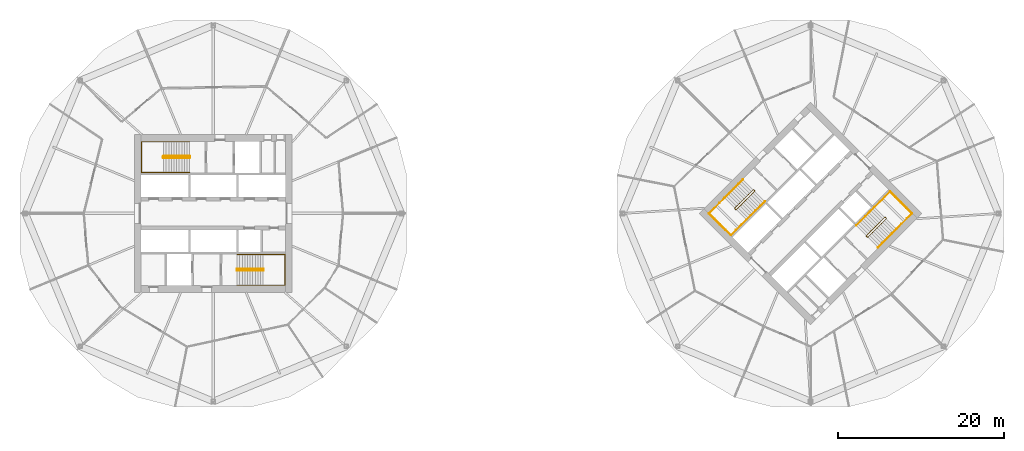
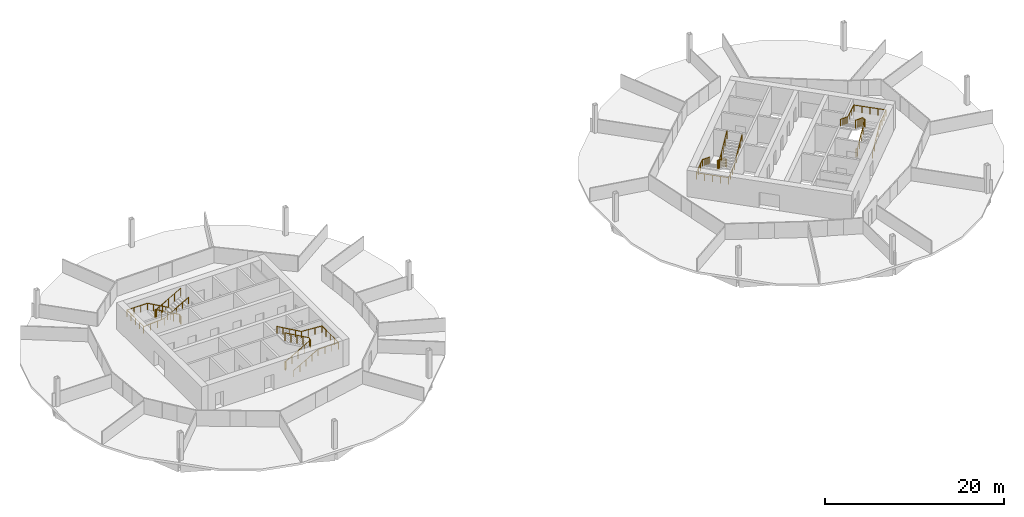
# One storey, part 9 of 9: 8 railings.
"""IFC4 building model written with IfcOpenShell, lengths in metres."""

import ifcopenshell
import ifcopenshell.guid

model = None  # the IFC model being written
_history = None  # IfcOwnerHistory: only IFC2X3 demands one
_inside = {}  # id of a spatial element -> (the spatial element, [elements in it])
_under = {}  # id of a project, library or spatial element -> (it, [spatial elements below it])
_declared = {}  # id of a project -> (the project, [libraries it declares])
_typed = {}  # id of a type object -> (the type object, [elements of that type])
_made_of = {}  # id of a material, layer set ... -> (it, [elements and type objects made of it])


def new_model(schema):
    """Start an empty IFC model of exactly this schema.

    Asked for "IFC4X3", IfcOpenShell would pick the latest addendum, in which some entities
    have other attributes; the version numbers below select the first issue.
    IFC2X3 requires an IfcOwnerHistory on every rooted entity: one is made here for all.
    """
    global model, _history
    if schema == "IFC4X3":
        model = ifcopenshell.file(schema_version=(4, 3, 0, 0))
    else:
        model = ifcopenshell.file(schema=schema)
    _inside.clear()
    _under.clear()
    _declared.clear()
    _typed.clear()
    _made_of.clear()
    _history = None
    if model.schema == "IFC2X3":
        org = make("IfcOrganization", Name="unknown")
        user = make(
            "IfcPersonAndOrganization",
            ThePerson=make("IfcPerson", FamilyName="unknown"),
            TheOrganization=org,
        )
        app = make(
            "IfcApplication",
            ApplicationDeveloper=org,
            Version="unknown",
            ApplicationFullName="unknown",
            ApplicationIdentifier="unknown",
        )
        _history = make(
            "IfcOwnerHistory",
            OwningUser=user,
            OwningApplication=app,
            ChangeAction="ADDED",
            CreationDate=0,
        )
    return model


def make(cls, **values):
    """One entity of the class cls with the attributes given. An attribute that is None is left unset."""
    return model.create_entity(
        cls, **{name: value for name, value in values.items() if value is not None}
    )


def rooted(cls, **values):
    """An entity with a GlobalId (a new one), such as an element, a storey or a relation."""
    return make(cls, GlobalId=ifcopenshell.guid.new(), OwnerHistory=_history, **values)


def si_unit(unit_type, name, prefix=None):
    """IfcSIUnit, for example si_unit("LENGTHUNIT", "METRE", prefix="MILLI")."""
    return make("IfcSIUnit", UnitType=unit_type, Prefix=prefix, Name=name)


def assignment(units):
    """IfcUnitAssignment: the units of a project."""
    return None if units is None else make("IfcUnitAssignment", Units=units)


def point(xyz):
    """IfcCartesianPoint."""
    return None if xyz is None else make("IfcCartesianPoint", Coordinates=xyz)


def direction(xyz):
    """IfcDirection."""
    return None if xyz is None else make("IfcDirection", DirectionRatios=xyz)


def frame(location, z_axis=None, x_axis=None):
    """IfcAxis2Placement3D, a coordinate frame: its origin and axes. An axis left out is left unset."""
    return make(
        "IfcAxis2Placement3D",
        Location=point(location),
        Axis=direction(z_axis),
        RefDirection=direction(x_axis),
    )


def frame_2d(location, x_axis=None):
    """IfcAxis2Placement2D, a coordinate frame in the plane: its origin and x axis."""
    return make(
        "IfcAxis2Placement2D", Location=point(location), RefDirection=direction(x_axis)
    )


def origin():
    """The frame at (0, 0, 0) with its axes left unset."""
    return frame((0.0, 0.0, 0.0))


def origin_2d():
    """The frame at (0, 0) in the plane with its x axis left unset."""
    return frame_2d((0.0, 0.0))


def place(relative_to, where):
    """IfcLocalPlacement: puts the frame where relative to a parent placement (None: the world)."""
    return make(
        "IfcLocalPlacement", PlacementRelTo=relative_to, RelativePlacement=where
    )


def context(
    kind, dimensions, precision=None, world=None, true_north=None, identifier=None
):
    """IfcGeometricRepresentationContext, for example the 3D "Model" context."""
    return make(
        "IfcGeometricRepresentationContext",
        ContextIdentifier=identifier,
        ContextType=kind,
        CoordinateSpaceDimension=dimensions,
        Precision=precision,
        WorldCoordinateSystem=world,
        TrueNorth=true_north,
    )


def subcontext(parent, identifier, kind, view, scale=None):
    """IfcGeometricRepresentationSubContext, for example "Body" below "Model"."""
    return make(
        "IfcGeometricRepresentationSubContext",
        ContextIdentifier=identifier,
        ContextType=kind,
        ParentContext=parent,
        TargetScale=scale,
        TargetView=view,
    )


def project(units=None, contexts=None):
    """IfcProject with its units and contexts."""
    return rooted(
        "IfcProject",
        Name="project",
        RepresentationContexts=contexts,
        UnitsInContext=assignment(units),
    )


def spatial(cls, under=None, at=None, **own):
    """A site, building, storey or space (cls), placed at a placement, below another one or the project."""
    s = rooted(cls, ObjectPlacement=at, **own)
    if under is not None:
        _under.setdefault(under.id(), (under, []))[1].append(s)
    return s


def profile(cls, at=None, kind="AREA", **sizes):
    """A parametric profile (cls). Its sizes go by their IFC names, for example OverallWidth=200.0."""
    return make(cls, ProfileType=kind, Position=at, **sizes)


def circle(**sizes):
    """IfcCircleProfileDef."""
    return profile("IfcCircleProfileDef", **sizes)


def extrude(swept, where, along, depth):
    """IfcExtrudedAreaSolid: the profile swept, set in the frame where, extruded along a direction by depth."""
    return make(
        "IfcExtrudedAreaSolid",
        SweptArea=swept,
        Position=where,
        ExtrudedDirection=direction(along),
        Depth=depth,
    )


def shape(context_of_items, identifier, shape_type, items):
    """IfcShapeRepresentation: the items that make up one representation, for example the "Body"."""
    return make(
        "IfcShapeRepresentation",
        ContextOfItems=context_of_items,
        RepresentationIdentifier=identifier,
        RepresentationType=shape_type,
        Items=items,
    )


def material(Name=None, Category=None):
    """IfcMaterial."""
    return make("IfcMaterial", Name=Name, Category=Category)


def made_of(thing, what):
    """Note that an element or type object is made of a material, layer set ...; save() writes the relation."""
    if what is not None:
        _made_of.setdefault(what.id(), (what, []))[1].append(thing)
    return thing


def type_object(cls, material=None, **own):
    """A type object (cls), such as IfcWallType, which elements share."""
    return made_of(rooted(cls, **own), material)


def element(
    cls,
    number,
    at=None,
    inside=None,
    cuts=None,
    type_object=None,
    material=None,
    context=None,
    identifier="Body",
    shape_type=None,
    held_by="IfcProductDefinitionShape",
    body=None,
    shapes=None,
    **own,
):
    """One element of the class cls, such as IfcWall. Its Tag is "e" and its number.

    at: its placement. inside: the storey or other place that contains it. cuts: it is an
    opening in that element (IfcRelVoidsElement). A single representation is given by context,
    identifier, shape_type and body (its items); several are given by shapes. held_by: the class
    of the entity that holds the representations. save() writes the other relations.
    """
    e = rooted(cls, Tag="e%d" % number, ObjectPlacement=at, **own)
    if body is not None:
        shapes = [shape(context, identifier, shape_type, body)]
    if shapes is not None:
        e.Representation = make(held_by, Representations=shapes)
    if inside is not None:
        _inside.setdefault(inside.id(), (inside, []))[1].append(e)
    if cuts is not None:
        rooted(
            "IfcRelVoidsElement", RelatingBuildingElement=cuts, RelatedOpeningElement=e
        )
    if type_object is not None:
        _typed.setdefault(type_object.id(), (type_object, []))[1].append(e)
    return made_of(e, material)


def aggregate(whole, parts):
    """IfcRelAggregates: a whole, such as a stair, and the parts it consists of."""
    return rooted("IfcRelAggregates", RelatingObject=whole, RelatedObjects=parts)


def save(model, path):
    """Write the relations noted so far, then the file.

    IfcRelAggregates (storeys below a building ...), IfcRelContainedInSpatialStructure (elements
    in a storey), IfcRelDefinesByType, IfcRelAssociatesMaterial and IfcRelDeclares: one each for
    every whole, place, type object, material and project.
    """
    for whole, parts in _under.values():
        aggregate(whole, parts)
    for where, things in _inside.values():
        rooted(
            "IfcRelContainedInSpatialStructure",
            RelatedElements=things,
            RelatingStructure=where,
        )
    for kind, things in _typed.values():
        rooted("IfcRelDefinesByType", RelatedObjects=things, RelatingType=kind)
    for what, things in _made_of.values():
        rooted("IfcRelAssociatesMaterial", RelatedObjects=things, RelatingMaterial=what)
    for by, libraries in _declared.values():
        rooted("IfcRelDeclares", RelatingContext=by, RelatedDefinitions=libraries)
    model.write(path)


model = new_model("IFC4")

# Units and contexts
model_context = context("Model", 3, precision=1e-05, world=origin(), true_north=direction((0.0, 1.0)))
body_context = subcontext(model_context, "Body", "Model", "MODEL_VIEW")
ifc_project = project(units=[si_unit("LENGTHUNIT", "METRE"), si_unit("AREAUNIT", "SQUARE_METRE"), si_unit("VOLUMEUNIT", "CUBIC_METRE"), si_unit("PLANEANGLEUNIT", "RADIAN"), si_unit("MASSUNIT", "GRAM", prefix="KILO")], contexts=[model_context])

# Site, building, storey
site_placement = place(None, origin())
site = spatial("IfcSite", under=ifc_project, at=site_placement, CompositionType="ELEMENT")
building_placement = place(site_placement, origin())
building = spatial("IfcBuilding", under=site, at=building_placement, Name="Ogive Gate Towers", CompositionType="ELEMENT")
storey_placement = place(building_placement, frame((0.0, 0.0, 91.800048828125)))
storey = spatial("IfcBuildingStorey", under=building, at=storey_placement, Name="L21", CompositionType="ELEMENT", Elevation=91.800048828125)

# Railings
ifc_material = material(Name="Stainless steel", Category="steel")
railing_type_1 = type_object("IfcRailingType", Name="Stair guard 1100", PredefinedType="GUARDRAIL", material=ifc_material)
railing_1_placement = place(storey_placement, frame((-38.81494140625, 6.860107421875, 0.0)))
element("IfcRailing", 1, at=railing_1_placement, inside=storey, type_object=railing_type_1, Name="L21 ST1 stair guard 1", PredefinedType="GUARDRAIL", context=body_context, shape_type="SweptSolid", body=[
    extrude(circle(Radius=0.02392578125, at=origin_2d()), frame((0.0, 0.0, 1.076171875), z_axis=(0.0, -1.0, 0.0), x_axis=(1.0, 0.0, 0.0)), (0.0, 0.0, 1.0), 0.14501953125),
    extrude(circle(Radius=0.02392578125, at=origin_2d()), frame((0.0, -0.14501953125, 1.076171875), z_axis=(-0.186679794065, 0.726685247142, 0.661119660934), x_axis=(-0.968551454522, -0.24881334358, 0.0)), (0.0, 0.0, 1.0), 0.26806640625),
    extrude(circle(Radius=0.02392578125, at=origin_2d()), frame((-0.050048828125, 0.0498046875, 1.25341796875), z_axis=(-0.870572935281, 0.0, 0.492039393094), x_axis=(0.0, -1.0, 0.0)), (0.0, 0.0, 1.0), 3.602783203125),
    extrude(circle(Radius=0.02392578125, at=origin_2d()), frame((-3.1865234375, 0.0498046875, 3.02587890625), z_axis=(-0.707106781187, -0.707106781187, 0.0), x_axis=(0.707106781187, -0.707106781187, 0.0)), (0.0, 0.0, 1.0), 0.0703125),
    extrude(circle(Radius=0.02392578125, at=origin_2d()), frame((-3.236328125, 0.0, 3.02587890625), z_axis=(0.0, -1.0, 0.0), x_axis=(1.0, 0.0, 0.0)), (0.0, 0.0, 1.0), 0.14501953125),
    extrude(circle(Radius=0.02392578125, at=origin_2d()), frame((-3.236328125, -0.14501953125, 3.02587890625), z_axis=(0.261041864531, -0.262321481514, 0.929001929653), x_axis=(0.708833529934, 0.705375805398, 0.0)), (0.0, 0.0, 1.0), 0.190673828125),
    extrude(circle(Radius=0.02392578125, at=origin_2d()), frame((-3.1865234375, -0.195068359375, 3.203125), z_axis=(0.870572935281, 0.0, 0.492039393094), x_axis=(0.0, 1.0, 0.0)), (0.0, 0.0, 1.0), 3.602783203125),
    extrude(circle(Radius=0.02099609375, at=origin_2d()), origin(), (0.0, 0.0, 1.0), 1.052001953125),
    extrude(circle(Radius=0.02099609375, at=origin_2d()), frame((0.0, -0.14501953125, 0.0)), (0.0, 0.0, 1.0), 1.052001953125),
    extrude(circle(Radius=0.02099609375, at=origin_2d()), frame((-0.050048828125, 0.0498046875, 0.17724609375)), (0.0, 0.0, 1.0), 1.052001953125),
    extrude(circle(Radius=0.02099609375, at=origin_2d()), frame((-0.834228515625, 0.0498046875, 0.620361328125)), (0.0, 0.0, 1.0), 1.052001953125),
    extrude(circle(Radius=0.02099609375, at=origin_2d()), frame((-1.6181640625, 0.0498046875, 1.0634765625)), (0.0, 0.0, 1.0), 1.052001953125),
    extrude(circle(Radius=0.02099609375, at=origin_2d()), frame((-2.40234375, 0.0498046875, 1.5068359375)), (0.0, 0.0, 1.0), 1.052001953125),
    extrude(circle(Radius=0.02099609375, at=origin_2d()), frame((-3.1865234375, 0.0498046875, 1.949951171875)), (0.0, 0.0, 1.0), 1.052001953125),
    extrude(circle(Radius=0.02099609375, at=origin_2d()), frame((-3.236328125, 0.0, 1.949951171875)), (0.0, 0.0, 1.0), 1.052001953125),
    extrude(circle(Radius=0.02099609375, at=origin_2d()), frame((-3.236328125, -0.14501953125, 1.949951171875)), (0.0, 0.0, 1.0), 1.052001953125),
    extrude(circle(Radius=0.02099609375, at=origin_2d()), frame((-3.1865234375, -0.195068359375, 2.127197265625)), (0.0, 0.0, 1.0), 1.052001953125),
    extrude(circle(Radius=0.02099609375, at=origin_2d()), frame((-2.40234375, -0.195068359375, 2.5703125)), (0.0, 0.0, 1.0), 1.052001953125),
    extrude(circle(Radius=0.02099609375, at=origin_2d()), frame((-1.6181640625, -0.195068359375, 3.013671875)), (0.0, 0.0, 1.0), 1.052001953125),
    extrude(circle(Radius=0.02099609375, at=origin_2d()), frame((-0.834228515625, -0.195068359375, 3.456787109375)), (0.0, 0.0, 1.0), 1.052001953125),
    extrude(circle(Radius=0.02099609375, at=origin_2d()), frame((-0.050048828125, -0.195068359375, 3.89990234375)), (0.0, 0.0, 1.0), 1.052001953125),
])
railing_2_placement = place(storey_placement, frame((-33.18505859375, -6.860107421875, 0.0)))
element("IfcRailing", 2, at=railing_2_placement, inside=storey, type_object=railing_type_1, Name="L21 ST2 stair guard 1", PredefinedType="GUARDRAIL", context=body_context, shape_type="SweptSolid", body=[
    extrude(circle(Radius=0.02392578125, at=origin_2d()), frame((0.0, 0.0, 1.076171875), z_axis=(0.0, 1.0, 0.0), x_axis=(-1.0, 0.0, 0.0)), (0.0, 0.0, 1.0), 0.14501953125),
    extrude(circle(Radius=0.02392578125, at=origin_2d()), frame((0.0, 0.14501953125, 1.076171875), z_axis=(0.186679794065, -0.726685247142, 0.661119660934), x_axis=(0.968551454522, 0.24881334358, 0.0)), (0.0, 0.0, 1.0), 0.26806640625),
    extrude(circle(Radius=0.02392578125, at=origin_2d()), frame((0.050048828125, -0.0498046875, 1.25341796875), z_axis=(0.870572935281, 0.0, 0.492039393094), x_axis=(0.0, 1.0, 0.0)), (0.0, 0.0, 1.0), 3.602783203125),
    extrude(circle(Radius=0.02392578125, at=origin_2d()), frame((3.1865234375, -0.0498046875, 3.02587890625), z_axis=(0.707106781187, 0.707106781187, 0.0), x_axis=(-0.707106781187, 0.707106781187, 0.0)), (0.0, 0.0, 1.0), 0.0703125),
    extrude(circle(Radius=0.02392578125, at=origin_2d()), frame((3.236328125, 0.0, 3.02587890625), z_axis=(0.0, 1.0, 0.0), x_axis=(-1.0, 0.0, 0.0)), (0.0, 0.0, 1.0), 0.14501953125),
    extrude(circle(Radius=0.02392578125, at=origin_2d()), frame((3.236328125, 0.14501953125, 3.02587890625), z_axis=(-0.261041864531, 0.262321481514, 0.929001929653), x_axis=(-0.708833529934, -0.705375805398, 0.0)), (0.0, 0.0, 1.0), 0.190673828125),
    extrude(circle(Radius=0.02392578125, at=origin_2d()), frame((3.1865234375, 0.195068359375, 3.203125), z_axis=(-0.870572935281, 0.0, 0.492039393094), x_axis=(0.0, -1.0, 0.0)), (0.0, 0.0, 1.0), 3.602783203125),
    extrude(circle(Radius=0.02099609375, at=origin_2d()), origin(), (0.0, 0.0, 1.0), 1.052001953125),
    extrude(circle(Radius=0.02099609375, at=origin_2d()), frame((0.0, 0.14501953125, 0.0)), (0.0, 0.0, 1.0), 1.052001953125),
    extrude(circle(Radius=0.02099609375, at=origin_2d()), frame((0.050048828125, -0.0498046875, 0.17724609375)), (0.0, 0.0, 1.0), 1.052001953125),
    extrude(circle(Radius=0.02099609375, at=origin_2d()), frame((0.834228515625, -0.0498046875, 0.620361328125)), (0.0, 0.0, 1.0), 1.052001953125),
    extrude(circle(Radius=0.02099609375, at=origin_2d()), frame((1.6181640625, -0.0498046875, 1.0634765625)), (0.0, 0.0, 1.0), 1.052001953125),
    extrude(circle(Radius=0.02099609375, at=origin_2d()), frame((2.40234375, -0.0498046875, 1.5068359375)), (0.0, 0.0, 1.0), 1.052001953125),
    extrude(circle(Radius=0.02099609375, at=origin_2d()), frame((3.1865234375, -0.0498046875, 1.949951171875)), (0.0, 0.0, 1.0), 1.052001953125),
    extrude(circle(Radius=0.02099609375, at=origin_2d()), frame((3.236328125, 0.0, 1.949951171875)), (0.0, 0.0, 1.0), 1.052001953125),
    extrude(circle(Radius=0.02099609375, at=origin_2d()), frame((3.236328125, 0.14501953125, 1.949951171875)), (0.0, 0.0, 1.0), 1.052001953125),
    extrude(circle(Radius=0.02099609375, at=origin_2d()), frame((3.1865234375, 0.195068359375, 2.127197265625)), (0.0, 0.0, 1.0), 1.052001953125),
    extrude(circle(Radius=0.02099609375, at=origin_2d()), frame((2.40234375, 0.195068359375, 2.5703125)), (0.0, 0.0, 1.0), 1.052001953125),
    extrude(circle(Radius=0.02099609375, at=origin_2d()), frame((1.6181640625, 0.195068359375, 3.013671875)), (0.0, 0.0, 1.0), 1.052001953125),
    extrude(circle(Radius=0.02099609375, at=origin_2d()), frame((0.834228515625, 0.195068359375, 3.456787109375)), (0.0, 0.0, 1.0), 1.052001953125),
    extrude(circle(Radius=0.02099609375, at=origin_2d()), frame((0.050048828125, 0.195068359375, 3.89990234375)), (0.0, 0.0, 1.0), 1.052001953125),
])
railing_3_placement = place(storey_placement, frame((29.15869140625, 2.8603515625, 0.0)))
element("IfcRailing", 3, at=railing_3_placement, inside=storey, type_object=railing_type_1, Name="L21 ST1 stair guard 1", PredefinedType="GUARDRAIL", context=body_context, shape_type="SweptSolid", body=[
    extrude(circle(Radius=0.02392578125, at=origin_2d()), frame((0.0, 0.0, 1.076171875), z_axis=(0.707106781187, -0.707106781187, 0.0), x_axis=(0.707106781187, 0.707106781187, 0.0)), (0.0, 0.0, 1.0), 0.14501953125),
    extrude(circle(Radius=0.02392578125, at=origin_2d()), frame((0.1025390625, -0.1025390625, 1.076171875), z_axis=(-0.645571447971, 0.382425963537, 0.661050594114), x_axis=(-0.509669330572, -0.860370369942, 0.0)), (0.0, 0.0, 1.0), 0.26806640625),
    extrude(circle(Radius=0.02392578125, at=origin_2d()), frame((-0.070556640625, 0.0, 1.25341796875), z_axis=(-0.61558473135, -0.61558473135, 0.49204763698), x_axis=(0.707106781187, -0.707106781187, 0.0)), (0.0, 0.0, 1.0), 3.602783203125),
    extrude(circle(Radius=0.02392578125, at=origin_2d()), frame((-2.288330078125, -2.2177734375, 3.02587890625), z_axis=(0.0, -1.0, 0.0), x_axis=(1.0, 0.0, 0.0)), (0.0, 0.0, 1.0), 0.07080078125),
    extrude(circle(Radius=0.02392578125, at=origin_2d()), frame((-2.288330078125, -2.28857421875, 3.02587890625), z_axis=(0.707106781187, -0.707106781187, 0.0), x_axis=(0.707106781187, 0.707106781187, 0.0)), (0.0, 0.0, 1.0), 0.14501953125),
    extrude(circle(Radius=0.02392578125, at=origin_2d()), frame((-2.185791015625, -2.39111328125, 3.02587890625), z_axis=(0.369845645421, 0.0, 0.929093213065), x_axis=(0.0, 1.0, 0.0)), (0.0, 0.0, 1.0), 0.190673828125),
    extrude(circle(Radius=0.02392578125, at=origin_2d()), frame((-2.115234375, -2.39111328125, 3.203125), z_axis=(0.61558473135, 0.61558473135, 0.49204763698), x_axis=(-0.707106781187, 0.707106781187, 0.0)), (0.0, 0.0, 1.0), 3.602783203125),
    extrude(circle(Radius=0.02099609375, at=origin_2d()), origin(), (0.0, 0.0, 1.0), 1.052001953125),
    extrude(circle(Radius=0.02099609375, at=origin_2d()), frame((0.1025390625, -0.1025390625, 0.0)), (0.0, 0.0, 1.0), 1.052001953125),
    extrude(circle(Radius=0.02099609375, at=origin_2d()), frame((-0.070556640625, 0.0, 0.17724609375)), (0.0, 0.0, 1.0), 1.052001953125),
    extrude(circle(Radius=0.02099609375, at=origin_2d()), frame((-0.625, -0.554443359375, 0.620361328125)), (0.0, 0.0, 1.0), 1.052001953125),
    extrude(circle(Radius=0.02099609375, at=origin_2d()), frame((-1.179443359375, -1.10888671875, 1.0634765625)), (0.0, 0.0, 1.0), 1.052001953125),
    extrude(circle(Radius=0.02099609375, at=origin_2d()), frame((-1.73388671875, -1.663330078125, 1.5068359375)), (0.0, 0.0, 1.0), 1.052001953125),
    extrude(circle(Radius=0.02099609375, at=origin_2d()), frame((-2.288330078125, -2.2177734375, 1.949951171875)), (0.0, 0.0, 1.0), 1.052001953125),
    extrude(circle(Radius=0.02099609375, at=origin_2d()), frame((-2.288330078125, -2.28857421875, 1.949951171875)), (0.0, 0.0, 1.0), 1.052001953125),
    extrude(circle(Radius=0.02099609375, at=origin_2d()), frame((-2.185791015625, -2.39111328125, 1.949951171875)), (0.0, 0.0, 1.0), 1.052001953125),
    extrude(circle(Radius=0.02099609375, at=origin_2d()), frame((-2.115234375, -2.39111328125, 2.127197265625)), (0.0, 0.0, 1.0), 1.052001953125),
    extrude(circle(Radius=0.02099609375, at=origin_2d()), frame((-1.560791015625, -1.836669921875, 2.5703125)), (0.0, 0.0, 1.0), 1.052001953125),
    extrude(circle(Radius=0.02099609375, at=origin_2d()), frame((-1.00634765625, -1.2822265625, 3.013671875)), (0.0, 0.0, 1.0), 1.052001953125),
    extrude(circle(Radius=0.02099609375, at=origin_2d()), frame((-0.451904296875, -0.727783203125, 3.456787109375)), (0.0, 0.0, 1.0), 1.052001953125),
    extrude(circle(Radius=0.02099609375, at=origin_2d()), frame((0.1025390625, -0.17333984375, 3.89990234375)), (0.0, 0.0, 1.0), 1.052001953125),
])
railing_4_placement = place(storey_placement, frame((42.84130859375, -2.8603515625, 0.0)))
element("IfcRailing", 4, at=railing_4_placement, inside=storey, type_object=railing_type_1, Name="L21 ST2 stair guard 1", PredefinedType="GUARDRAIL", context=body_context, shape_type="SweptSolid", body=[
    extrude(circle(Radius=0.02392578125, at=origin_2d()), frame((0.0, 0.0, 1.076171875), z_axis=(-0.707106781187, 0.707106781187, 0.0), x_axis=(-0.707106781187, -0.707106781187, 0.0)), (0.0, 0.0, 1.0), 0.14501953125),
    extrude(circle(Radius=0.02392578125, at=origin_2d()), frame((-0.1025390625, 0.1025390625, 1.076171875), z_axis=(0.645571447971, -0.382425963537, 0.661050594114), x_axis=(0.509669330572, 0.860370369942, 0.0)), (0.0, 0.0, 1.0), 0.26806640625),
    extrude(circle(Radius=0.02392578125, at=origin_2d()), frame((0.070556640625, 0.0, 1.25341796875), z_axis=(0.61558473135, 0.61558473135, 0.49204763698), x_axis=(-0.707106781187, 0.707106781187, 0.0)), (0.0, 0.0, 1.0), 3.602783203125),
    extrude(circle(Radius=0.02392578125, at=origin_2d()), frame((2.288330078125, 2.2177734375, 3.02587890625), z_axis=(0.0, 1.0, 0.0), x_axis=(-1.0, 0.0, 0.0)), (0.0, 0.0, 1.0), 0.07080078125),
    extrude(circle(Radius=0.02392578125, at=origin_2d()), frame((2.288330078125, 2.28857421875, 3.02587890625), z_axis=(-0.707106781187, 0.707106781187, 0.0), x_axis=(-0.707106781187, -0.707106781187, 0.0)), (0.0, 0.0, 1.0), 0.14501953125),
    extrude(circle(Radius=0.02392578125, at=origin_2d()), frame((2.185791015625, 2.39111328125, 3.02587890625), z_axis=(-0.369845645421, 0.0, 0.929093213065), x_axis=(0.0, -1.0, 0.0)), (0.0, 0.0, 1.0), 0.190673828125),
    extrude(circle(Radius=0.02392578125, at=origin_2d()), frame((2.115234375, 2.39111328125, 3.203125), z_axis=(-0.61558473135, -0.61558473135, 0.49204763698), x_axis=(0.707106781187, -0.707106781187, 0.0)), (0.0, 0.0, 1.0), 3.602783203125),
    extrude(circle(Radius=0.02099609375, at=origin_2d()), origin(), (0.0, 0.0, 1.0), 1.052001953125),
    extrude(circle(Radius=0.02099609375, at=origin_2d()), frame((-0.1025390625, 0.1025390625, 0.0)), (0.0, 0.0, 1.0), 1.052001953125),
    extrude(circle(Radius=0.02099609375, at=origin_2d()), frame((0.070556640625, 0.0, 0.17724609375)), (0.0, 0.0, 1.0), 1.052001953125),
    extrude(circle(Radius=0.02099609375, at=origin_2d()), frame((0.625, 0.554443359375, 0.620361328125)), (0.0, 0.0, 1.0), 1.052001953125),
    extrude(circle(Radius=0.02099609375, at=origin_2d()), frame((1.179443359375, 1.10888671875, 1.0634765625)), (0.0, 0.0, 1.0), 1.052001953125),
    extrude(circle(Radius=0.02099609375, at=origin_2d()), frame((1.73388671875, 1.663330078125, 1.5068359375)), (0.0, 0.0, 1.0), 1.052001953125),
    extrude(circle(Radius=0.02099609375, at=origin_2d()), frame((2.288330078125, 2.2177734375, 1.949951171875)), (0.0, 0.0, 1.0), 1.052001953125),
    extrude(circle(Radius=0.02099609375, at=origin_2d()), frame((2.288330078125, 2.28857421875, 1.949951171875)), (0.0, 0.0, 1.0), 1.052001953125),
    extrude(circle(Radius=0.02099609375, at=origin_2d()), frame((2.185791015625, 2.39111328125, 1.949951171875)), (0.0, 0.0, 1.0), 1.052001953125),
    extrude(circle(Radius=0.02099609375, at=origin_2d()), frame((2.115234375, 2.39111328125, 2.127197265625)), (0.0, 0.0, 1.0), 1.052001953125),
    extrude(circle(Radius=0.02099609375, at=origin_2d()), frame((1.560791015625, 1.836669921875, 2.5703125)), (0.0, 0.0, 1.0), 1.052001953125),
    extrude(circle(Radius=0.02099609375, at=origin_2d()), frame((1.00634765625, 1.2822265625, 3.013671875)), (0.0, 0.0, 1.0), 1.052001953125),
    extrude(circle(Radius=0.02099609375, at=origin_2d()), frame((0.451904296875, 0.727783203125, 3.456787109375)), (0.0, 0.0, 1.0), 1.052001953125),
    extrude(circle(Radius=0.02099609375, at=origin_2d()), frame((-0.1025390625, 0.17333984375, 3.89990234375)), (0.0, 0.0, 1.0), 1.052001953125),
])
railing_type_2 = type_object("IfcRailingType", Name="Stair handrail 900", PredefinedType="HANDRAIL", material=ifc_material)
railing_5_placement = place(storey_placement, frame((-38.864990234375, 8.64990234375, 0.17724609375)))
element("IfcRailing", 5, at=railing_5_placement, inside=storey, type_object=railing_type_2, Name="L21 ST1 stair handrail 1", PredefinedType="HANDRAIL", context=body_context, shape_type="SweptSolid", body=[
    extrude(circle(Radius=0.02392578125, at=origin_2d()), frame((0.0, 0.0, 0.8759765625), z_axis=(-0.870572935281, 0.0, 0.492039393094), x_axis=(0.0, -1.0, 0.0)), (0.0, 0.0, 1.0), 3.602783203125),
    extrude(circle(Radius=0.02392578125, at=origin_2d()), frame((-3.136474609375, 0.0, 2.6484375), z_axis=(-1.0, 0.0, 0.0), x_axis=(0.0, -1.0, 0.0)), (0.0, 0.0, 1.0), 2.6484375),
    extrude(circle(Radius=0.02392578125, at=origin_2d()), frame((-5.784912109375, 0.0, 2.6484375), z_axis=(0.0, -1.0, 0.0), x_axis=(1.0, 0.0, 0.0)), (0.0, 0.0, 1.0), 3.724853515625),
    extrude(circle(Radius=0.02392578125, at=origin_2d()), frame((-5.784912109375, -3.724853515625, 2.6484375), z_axis=(0.997768031817, 0.0, 0.066775404784), x_axis=(0.0, 1.0, 0.0)), (0.0, 0.0, 1.0), 2.654296875),
    extrude(circle(Radius=0.02392578125, at=origin_2d()), frame((-3.136474609375, -3.724853515625, 2.82568359375), z_axis=(0.870572935281, 0.0, 0.492039393094), x_axis=(0.0, 1.0, 0.0)), (0.0, 0.0, 1.0), 3.602783203125),
    extrude(circle(Radius=0.02099609375, at=origin_2d()), origin(), (0.0, 0.0, 1.0), 0.851806640625),
    extrude(circle(Radius=0.02099609375, at=origin_2d()), frame((-0.7841796875, 0.0, 0.443115234375)), (0.0, 0.0, 1.0), 0.851806640625),
    extrude(circle(Radius=0.02099609375, at=origin_2d()), frame((-1.568359375, 0.0, 0.88623046875)), (0.0, 0.0, 1.0), 0.851806640625),
    extrude(circle(Radius=0.02099609375, at=origin_2d()), frame((-2.352294921875, 0.0, 1.32958984375)), (0.0, 0.0, 1.0), 0.851806640625),
    extrude(circle(Radius=0.02099609375, at=origin_2d()), frame((-3.136474609375, 0.0, 1.772705078125)), (0.0, 0.0, 1.0), 0.851806640625),
    extrude(circle(Radius=0.02099609375, at=origin_2d()), frame((-4.019287109375, 0.0, 1.772705078125)), (0.0, 0.0, 1.0), 0.851806640625),
    extrude(circle(Radius=0.02099609375, at=origin_2d()), frame((-4.902099609375, 0.0, 1.772705078125)), (0.0, 0.0, 1.0), 0.851806640625),
    extrude(circle(Radius=0.02099609375, at=origin_2d()), frame((-5.784912109375, 0.0, 1.772705078125)), (0.0, 0.0, 1.0), 0.851806640625),
    extrude(circle(Radius=0.02099609375, at=origin_2d()), frame((-5.784912109375, -0.93115234375, 1.772705078125)), (0.0, 0.0, 1.0), 0.851806640625),
    extrude(circle(Radius=0.02099609375, at=origin_2d()), frame((-5.784912109375, -1.8623046875, 1.772705078125)), (0.0, 0.0, 1.0), 0.851806640625),
    extrude(circle(Radius=0.02099609375, at=origin_2d()), frame((-5.784912109375, -2.793701171875, 1.772705078125)), (0.0, 0.0, 1.0), 0.851806640625),
    extrude(circle(Radius=0.02099609375, at=origin_2d()), frame((-5.784912109375, -3.724853515625, 1.772705078125)), (0.0, 0.0, 1.0), 0.851806640625),
    extrude(circle(Radius=0.02099609375, at=origin_2d()), frame((-4.902099609375, -3.724853515625, 1.831787109375)), (0.0, 0.0, 1.0), 0.851806640625),
    extrude(circle(Radius=0.02099609375, at=origin_2d()), frame((-4.019287109375, -3.724853515625, 1.890869140625)), (0.0, 0.0, 1.0), 0.851806640625),
    extrude(circle(Radius=0.02099609375, at=origin_2d()), frame((-3.136474609375, -3.724853515625, 1.949951171875)), (0.0, 0.0, 1.0), 0.851806640625),
    extrude(circle(Radius=0.02099609375, at=origin_2d()), frame((-2.352294921875, -3.724853515625, 2.39306640625)), (0.0, 0.0, 1.0), 0.851806640625),
    extrude(circle(Radius=0.02099609375, at=origin_2d()), frame((-1.568359375, -3.724853515625, 2.83642578125)), (0.0, 0.0, 1.0), 0.851806640625),
    extrude(circle(Radius=0.02099609375, at=origin_2d()), frame((-0.7841796875, -3.724853515625, 3.279541015625)), (0.0, 0.0, 1.0), 0.851806640625),
    extrude(circle(Radius=0.02099609375, at=origin_2d()), frame((0.0, -3.724853515625, 3.72265625)), (0.0, 0.0, 1.0), 0.851806640625),
])
railing_6_placement = place(storey_placement, frame((-33.135009765625, -8.64990234375, 0.17724609375)))
element("IfcRailing", 6, at=railing_6_placement, inside=storey, type_object=railing_type_2, Name="L21 ST2 stair handrail 1", PredefinedType="HANDRAIL", context=body_context, shape_type="SweptSolid", body=[
    extrude(circle(Radius=0.02392578125, at=origin_2d()), frame((0.0, 0.0, 0.8759765625), z_axis=(0.870572935281, 0.0, 0.492039393094), x_axis=(0.0, 1.0, 0.0)), (0.0, 0.0, 1.0), 3.602783203125),
    extrude(circle(Radius=0.02392578125, at=origin_2d()), frame((3.136474609375, 0.0, 2.6484375), z_axis=(1.0, 0.0, 0.0), x_axis=(0.0, 1.0, 0.0)), (0.0, 0.0, 1.0), 2.6484375),
    extrude(circle(Radius=0.02392578125, at=origin_2d()), frame((5.784912109375, 0.0, 2.6484375), z_axis=(0.0, 1.0, 0.0), x_axis=(-1.0, 0.0, 0.0)), (0.0, 0.0, 1.0), 3.724853515625),
    extrude(circle(Radius=0.02392578125, at=origin_2d()), frame((5.784912109375, 3.724853515625, 2.6484375), z_axis=(-0.997768031817, 0.0, 0.066775404784), x_axis=(0.0, -1.0, 0.0)), (0.0, 0.0, 1.0), 2.654296875),
    extrude(circle(Radius=0.02392578125, at=origin_2d()), frame((3.136474609375, 3.724853515625, 2.82568359375), z_axis=(-0.870572935281, 0.0, 0.492039393094), x_axis=(0.0, -1.0, 0.0)), (0.0, 0.0, 1.0), 3.602783203125),
    extrude(circle(Radius=0.02099609375, at=origin_2d()), origin(), (0.0, 0.0, 1.0), 0.851806640625),
    extrude(circle(Radius=0.02099609375, at=origin_2d()), frame((0.7841796875, 0.0, 0.443115234375)), (0.0, 0.0, 1.0), 0.851806640625),
    extrude(circle(Radius=0.02099609375, at=origin_2d()), frame((1.568359375, 0.0, 0.88623046875)), (0.0, 0.0, 1.0), 0.851806640625),
    extrude(circle(Radius=0.02099609375, at=origin_2d()), frame((2.352294921875, 0.0, 1.32958984375)), (0.0, 0.0, 1.0), 0.851806640625),
    extrude(circle(Radius=0.02099609375, at=origin_2d()), frame((3.136474609375, 0.0, 1.772705078125)), (0.0, 0.0, 1.0), 0.851806640625),
    extrude(circle(Radius=0.02099609375, at=origin_2d()), frame((4.019287109375, 0.0, 1.772705078125)), (0.0, 0.0, 1.0), 0.851806640625),
    extrude(circle(Radius=0.02099609375, at=origin_2d()), frame((4.902099609375, 0.0, 1.772705078125)), (0.0, 0.0, 1.0), 0.851806640625),
    extrude(circle(Radius=0.02099609375, at=origin_2d()), frame((5.784912109375, 0.0, 1.772705078125)), (0.0, 0.0, 1.0), 0.851806640625),
    extrude(circle(Radius=0.02099609375, at=origin_2d()), frame((5.784912109375, 0.93115234375, 1.772705078125)), (0.0, 0.0, 1.0), 0.851806640625),
    extrude(circle(Radius=0.02099609375, at=origin_2d()), frame((5.784912109375, 1.8623046875, 1.772705078125)), (0.0, 0.0, 1.0), 0.851806640625),
    extrude(circle(Radius=0.02099609375, at=origin_2d()), frame((5.784912109375, 2.793701171875, 1.772705078125)), (0.0, 0.0, 1.0), 0.851806640625),
    extrude(circle(Radius=0.02099609375, at=origin_2d()), frame((5.784912109375, 3.724853515625, 1.772705078125)), (0.0, 0.0, 1.0), 0.851806640625),
    extrude(circle(Radius=0.02099609375, at=origin_2d()), frame((4.902099609375, 3.724853515625, 1.831787109375)), (0.0, 0.0, 1.0), 0.851806640625),
    extrude(circle(Radius=0.02099609375, at=origin_2d()), frame((4.019287109375, 3.724853515625, 1.890869140625)), (0.0, 0.0, 1.0), 0.851806640625),
    extrude(circle(Radius=0.02099609375, at=origin_2d()), frame((3.136474609375, 3.724853515625, 1.949951171875)), (0.0, 0.0, 1.0), 0.851806640625),
    extrude(circle(Radius=0.02099609375, at=origin_2d()), frame((2.352294921875, 3.724853515625, 2.39306640625)), (0.0, 0.0, 1.0), 0.851806640625),
    extrude(circle(Radius=0.02099609375, at=origin_2d()), frame((1.568359375, 3.724853515625, 2.83642578125)), (0.0, 0.0, 1.0), 0.851806640625),
    extrude(circle(Radius=0.02099609375, at=origin_2d()), frame((0.7841796875, 3.724853515625, 3.279541015625)), (0.0, 0.0, 1.0), 0.851806640625),
    extrude(circle(Radius=0.02099609375, at=origin_2d()), frame((0.0, 3.724853515625, 3.72265625)), (0.0, 0.0, 1.0), 0.851806640625),
])
railing_7_placement = place(storey_placement, frame((27.857666015625, 4.090576171875, 0.17724609375)))
element("IfcRailing", 7, at=railing_7_placement, inside=storey, type_object=railing_type_2, Name="L21 ST1 stair handrail 1", PredefinedType="HANDRAIL", context=body_context, shape_type="SweptSolid", body=[
    extrude(circle(Radius=0.02392578125, at=origin_2d()), frame((0.0, 0.0, 0.8759765625), z_axis=(-0.61558473135, -0.61558473135, 0.49204763698), x_axis=(0.707106781187, -0.707106781187, 0.0)), (0.0, 0.0, 1.0), 3.602783203125),
    extrude(circle(Radius=0.02392578125, at=origin_2d()), frame((-2.2177734375, -2.2177734375, 2.6484375), z_axis=(-0.707106781187, -0.707106781187, 0.0), x_axis=(0.707106781187, -0.707106781187, 0.0)), (0.0, 0.0, 1.0), 2.6484375),
    extrude(circle(Radius=0.02392578125, at=origin_2d()), frame((-4.090576171875, -4.090576171875, 2.6484375), z_axis=(0.707106781187, -0.707106781187, 0.0), x_axis=(0.707106781187, 0.707106781187, 0.0)), (0.0, 0.0, 1.0), 3.72509765625),
    extrude(circle(Radius=0.02392578125, at=origin_2d()), frame((-1.45654296875, -6.724609375, 2.6484375), z_axis=(0.705482886452, 0.705574853978, 0.066768423356), x_axis=(-0.70715286629, 0.70706069308, 0.0)), (0.0, 0.0, 1.0), 2.654541015625),
    extrude(circle(Radius=0.02392578125, at=origin_2d()), frame((0.416259765625, -4.8515625, 2.82568359375), z_axis=(0.615610411033, 0.615542642384, 0.4920681632), x_axis=(-0.70706785752, 0.70714570271, 0.0)), (0.0, 0.0, 1.0), 3.6025390625),
    extrude(circle(Radius=0.02099609375, at=origin_2d()), origin(), (0.0, 0.0, 1.0), 0.851806640625),
    extrude(circle(Radius=0.02099609375, at=origin_2d()), frame((-0.554443359375, -0.554443359375, 0.443115234375)), (0.0, 0.0, 1.0), 0.851806640625),
    extrude(circle(Radius=0.02099609375, at=origin_2d()), frame((-1.10888671875, -1.10888671875, 0.88623046875)), (0.0, 0.0, 1.0), 0.851806640625),
    extrude(circle(Radius=0.02099609375, at=origin_2d()), frame((-1.663330078125, -1.663330078125, 1.32958984375)), (0.0, 0.0, 1.0), 0.851806640625),
    extrude(circle(Radius=0.02099609375, at=origin_2d()), frame((-2.2177734375, -2.2177734375, 1.772705078125)), (0.0, 0.0, 1.0), 0.851806640625),
    extrude(circle(Radius=0.02099609375, at=origin_2d()), frame((-2.842041015625, -2.842041015625, 1.772705078125)), (0.0, 0.0, 1.0), 0.851806640625),
    extrude(circle(Radius=0.02099609375, at=origin_2d()), frame((-3.46630859375, -3.46630859375, 1.772705078125)), (0.0, 0.0, 1.0), 0.851806640625),
    extrude(circle(Radius=0.02099609375, at=origin_2d()), frame((-4.090576171875, -4.090576171875, 1.772705078125)), (0.0, 0.0, 1.0), 0.851806640625),
    extrude(circle(Radius=0.02099609375, at=origin_2d()), frame((-3.43212890625, -4.7490234375, 1.772705078125)), (0.0, 0.0, 1.0), 0.851806640625),
    extrude(circle(Radius=0.02099609375, at=origin_2d()), frame((-2.7734375, -5.40771484375, 1.772705078125)), (0.0, 0.0, 1.0), 0.851806640625),
    extrude(circle(Radius=0.02099609375, at=origin_2d()), frame((-2.114990234375, -6.066162109375, 1.772705078125)), (0.0, 0.0, 1.0), 0.851806640625),
    extrude(circle(Radius=0.02099609375, at=origin_2d()), frame((-1.45654296875, -6.724609375, 1.772705078125)), (0.0, 0.0, 1.0), 0.851806640625),
    extrude(circle(Radius=0.02099609375, at=origin_2d()), frame((-0.832275390625, -6.100341796875, 1.831787109375)), (0.0, 0.0, 1.0), 0.851806640625),
    extrude(circle(Radius=0.02099609375, at=origin_2d()), frame((-0.2080078125, -5.475830078125, 1.890869140625)), (0.0, 0.0, 1.0), 0.851806640625),
    extrude(circle(Radius=0.02099609375, at=origin_2d()), frame((0.416259765625, -4.8515625, 1.949951171875)), (0.0, 0.0, 1.0), 0.851806640625),
    extrude(circle(Radius=0.02099609375, at=origin_2d()), frame((0.970703125, -4.297119140625, 2.39306640625)), (0.0, 0.0, 1.0), 0.851806640625),
    extrude(circle(Radius=0.02099609375, at=origin_2d()), frame((1.525146484375, -3.74267578125, 2.83642578125)), (0.0, 0.0, 1.0), 0.851806640625),
    extrude(circle(Radius=0.02099609375, at=origin_2d()), frame((2.07958984375, -3.1884765625, 3.279541015625)), (0.0, 0.0, 1.0), 0.851806640625),
    extrude(circle(Radius=0.02099609375, at=origin_2d()), frame((2.634033203125, -2.634033203125, 3.72265625)), (0.0, 0.0, 1.0), 0.851806640625),
])
railing_8_placement = place(storey_placement, frame((44.142333984375, -4.090576171875, 0.17724609375)))
element("IfcRailing", 8, at=railing_8_placement, inside=storey, type_object=railing_type_2, Name="L21 ST2 stair handrail 1", PredefinedType="HANDRAIL", context=body_context, shape_type="SweptSolid", body=[
    extrude(circle(Radius=0.02392578125, at=origin_2d()), frame((0.0, 0.0, 0.8759765625), z_axis=(0.61558473135, 0.61558473135, 0.49204763698), x_axis=(-0.707106781187, 0.707106781187, 0.0)), (0.0, 0.0, 1.0), 3.602783203125),
    extrude(circle(Radius=0.02392578125, at=origin_2d()), frame((2.2177734375, 2.2177734375, 2.6484375), z_axis=(0.707106781187, 0.707106781187, 0.0), x_axis=(-0.707106781187, 0.707106781187, 0.0)), (0.0, 0.0, 1.0), 2.6484375),
    extrude(circle(Radius=0.02392578125, at=origin_2d()), frame((4.090576171875, 4.090576171875, 2.6484375), z_axis=(-0.707106781187, 0.707106781187, 0.0), x_axis=(-0.707106781187, -0.707106781187, 0.0)), (0.0, 0.0, 1.0), 3.72509765625),
    extrude(circle(Radius=0.02392578125, at=origin_2d()), frame((1.45654296875, 6.724609375, 2.6484375), z_axis=(-0.705482886452, -0.705574853978, 0.066768423356), x_axis=(0.70715286629, -0.70706069308, 0.0)), (0.0, 0.0, 1.0), 2.654541015625),
    extrude(circle(Radius=0.02392578125, at=origin_2d()), frame((-0.416259765625, 4.8515625, 2.82568359375), z_axis=(-0.615610411033, -0.615542642384, 0.4920681632), x_axis=(0.70706785752, -0.70714570271, 0.0)), (0.0, 0.0, 1.0), 3.6025390625),
    extrude(circle(Radius=0.02099609375, at=origin_2d()), origin(), (0.0, 0.0, 1.0), 0.851806640625),
    extrude(circle(Radius=0.02099609375, at=origin_2d()), frame((0.554443359375, 0.554443359375, 0.443115234375)), (0.0, 0.0, 1.0), 0.851806640625),
    extrude(circle(Radius=0.02099609375, at=origin_2d()), frame((1.10888671875, 1.10888671875, 0.88623046875)), (0.0, 0.0, 1.0), 0.851806640625),
    extrude(circle(Radius=0.02099609375, at=origin_2d()), frame((1.663330078125, 1.663330078125, 1.32958984375)), (0.0, 0.0, 1.0), 0.851806640625),
    extrude(circle(Radius=0.02099609375, at=origin_2d()), frame((2.2177734375, 2.2177734375, 1.772705078125)), (0.0, 0.0, 1.0), 0.851806640625),
    extrude(circle(Radius=0.02099609375, at=origin_2d()), frame((2.842041015625, 2.842041015625, 1.772705078125)), (0.0, 0.0, 1.0), 0.851806640625),
    extrude(circle(Radius=0.02099609375, at=origin_2d()), frame((3.46630859375, 3.46630859375, 1.772705078125)), (0.0, 0.0, 1.0), 0.851806640625),
    extrude(circle(Radius=0.02099609375, at=origin_2d()), frame((4.090576171875, 4.090576171875, 1.772705078125)), (0.0, 0.0, 1.0), 0.851806640625),
    extrude(circle(Radius=0.02099609375, at=origin_2d()), frame((3.43212890625, 4.7490234375, 1.772705078125)), (0.0, 0.0, 1.0), 0.851806640625),
    extrude(circle(Radius=0.02099609375, at=origin_2d()), frame((2.7734375, 5.40771484375, 1.772705078125)), (0.0, 0.0, 1.0), 0.851806640625),
    extrude(circle(Radius=0.02099609375, at=origin_2d()), frame((2.114990234375, 6.066162109375, 1.772705078125)), (0.0, 0.0, 1.0), 0.851806640625),
    extrude(circle(Radius=0.02099609375, at=origin_2d()), frame((1.45654296875, 6.724609375, 1.772705078125)), (0.0, 0.0, 1.0), 0.851806640625),
    extrude(circle(Radius=0.02099609375, at=origin_2d()), frame((0.832275390625, 6.100341796875, 1.831787109375)), (0.0, 0.0, 1.0), 0.851806640625),
    extrude(circle(Radius=0.02099609375, at=origin_2d()), frame((0.2080078125, 5.475830078125, 1.890869140625)), (0.0, 0.0, 1.0), 0.851806640625),
    extrude(circle(Radius=0.02099609375, at=origin_2d()), frame((-0.416259765625, 4.8515625, 1.949951171875)), (0.0, 0.0, 1.0), 0.851806640625),
    extrude(circle(Radius=0.02099609375, at=origin_2d()), frame((-0.970703125, 4.297119140625, 2.39306640625)), (0.0, 0.0, 1.0), 0.851806640625),
    extrude(circle(Radius=0.02099609375, at=origin_2d()), frame((-1.525146484375, 3.74267578125, 2.83642578125)), (0.0, 0.0, 1.0), 0.851806640625),
    extrude(circle(Radius=0.02099609375, at=origin_2d()), frame((-2.07958984375, 3.1884765625, 3.279541015625)), (0.0, 0.0, 1.0), 0.851806640625),
    extrude(circle(Radius=0.02099609375, at=origin_2d()), frame((-2.634033203125, 2.634033203125, 3.72265625)), (0.0, 0.0, 1.0), 0.851806640625),
])

save(model, "model.ifc")
